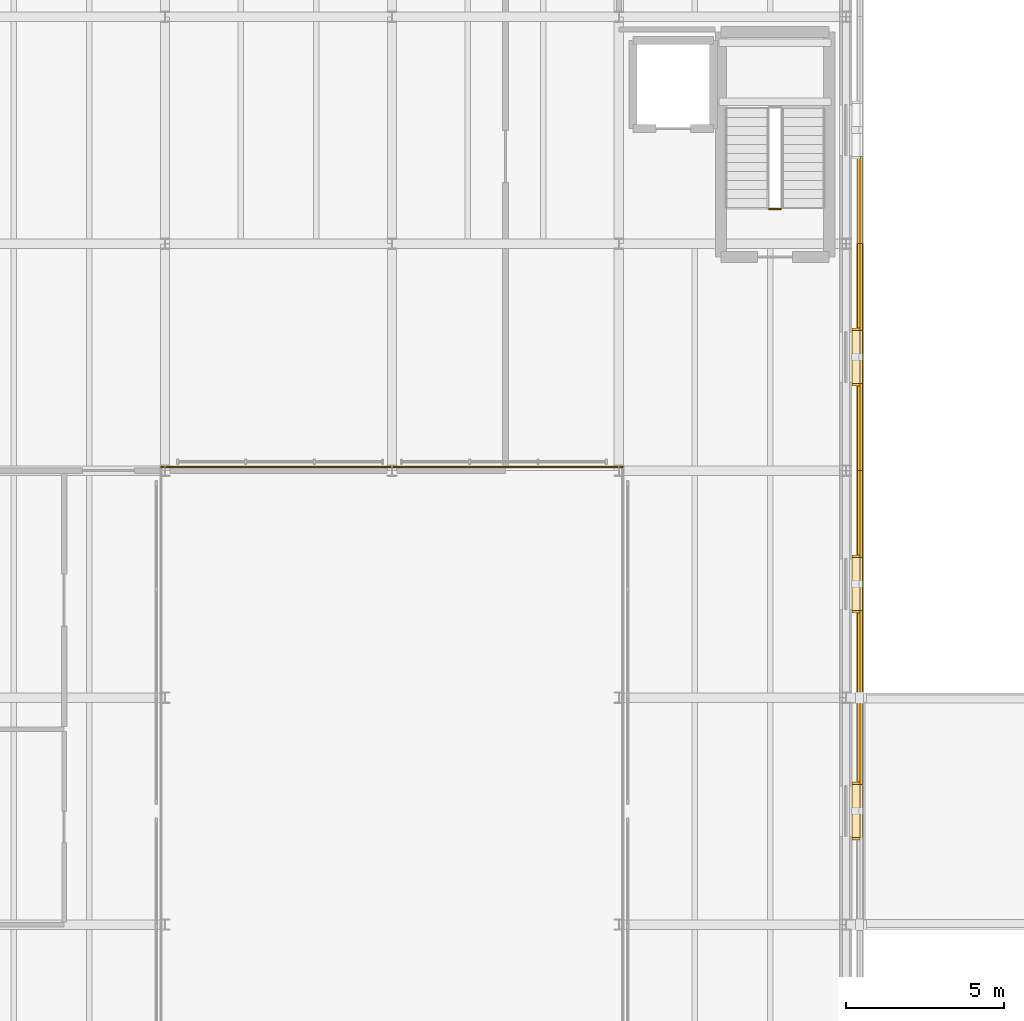
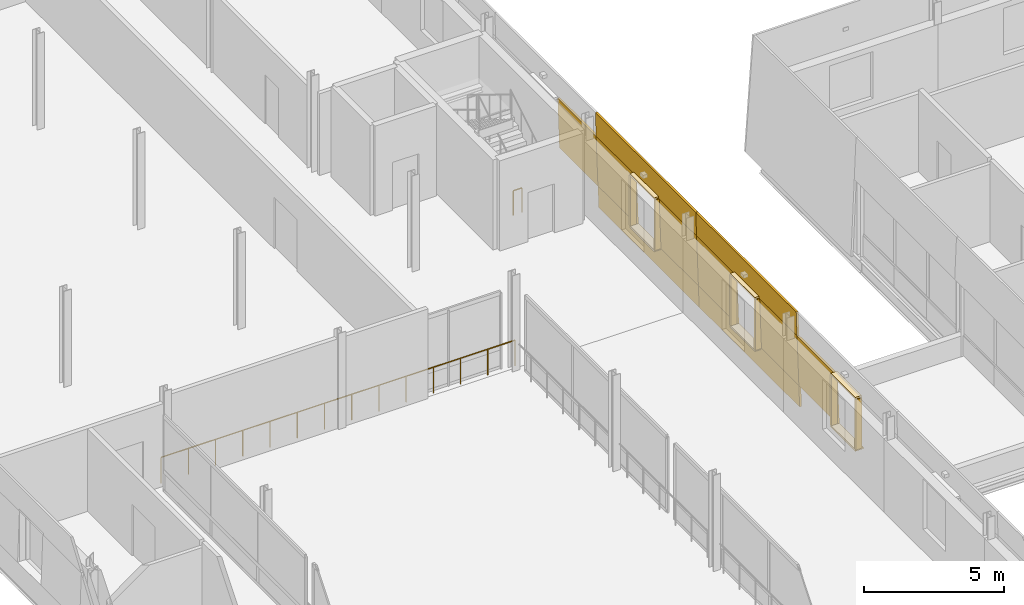
# One storey, part 82 of 91: 22 coverings, 2 railings.
"""IFC4 building model written with IfcOpenShell, lengths in metres."""

from ifc_helpers import new_model, si_unit, direction, frame, origin, origin_2d, place, context, subcontext, project, spatial, polyline, circle, outline, extrude, material, layer, layer_set, type_object, element, save


model = new_model("IFC4")

# Units and contexts
model_context = context("Model", 3, precision=1e-05, world=origin(), true_north=direction((0.0, 1.0)))
body_context = subcontext(model_context, "Body", "Model", "MODEL_VIEW")
ifc_project = project(units=[si_unit("LENGTHUNIT", "METRE"), si_unit("AREAUNIT", "SQUARE_METRE"), si_unit("VOLUMEUNIT", "CUBIC_METRE"), si_unit("PLANEANGLEUNIT", "RADIAN"), si_unit("MASSUNIT", "GRAM", prefix="KILO")], contexts=[model_context])

# Site, building, storey
site_placement = place(None, origin())
site = spatial("IfcSite", under=ifc_project, at=site_placement, CompositionType="ELEMENT")
building_placement = place(site_placement, origin())
building = spatial("IfcBuilding", under=site, at=building_placement, Name="Narikvali Park Central Library", CompositionType="ELEMENT")
storey_placement = place(building_placement, frame((0.0, 0.0, 14.39990234375)))
storey = spatial("IfcBuildingStorey", under=building, at=storey_placement, Name="L03", CompositionType="ELEMENT", Elevation=14.39990234375)

# Railing
ifc_material_1 = material(Name="Laminated Tempered Glass and Stainless Steel", Category="steel")
ifc_layer_1 = layer(ifc_material_1, 0.06005859375, Name="Laminated Tempered Glass and Stainless Steel")
ifc_layer_set_1 = layer_set([ifc_layer_1], Name="Laminated Tempered Glass and Stainless Steel")
railing_type_1 = type_object("IfcRailingType", Name="Atrium Void Tempered Glass Guardrail 1150", PredefinedType="GUARDRAIL", material=ifc_layer_set_1)
railing_1_placement = place(storey_placement, frame((50.52001953125, 86.52001953125, 0.0)))
element("IfcRailing", 1, at=railing_1_placement, inside=storey, type_object=railing_type_1, Name="V4 L03 Void Edge Guardrail N", PredefinedType="GUARDRAIL", context=body_context, shape_type="SweptSolid", body=[
    extrude(circle(Radius=0.02392578125, at=origin_2d()), frame((0.0, 0.0, 1.1259765625), z_axis=(-1.0, 0.0, 0.0), x_axis=(0.0, -1.0, 0.0)), (0.0, 0.0, 1.0), 14.64013671875),
    extrude(circle(Radius=0.02099609375, at=origin_2d()), origin(), (0.0, 0.0, 1.0), 1.101806640625),
    extrude(circle(Radius=0.02099609375, at=origin_2d()), frame((-1.126220703125, 0.0, 0.0)), (0.0, 0.0, 1.0), 1.101806640625),
    extrude(circle(Radius=0.02099609375, at=origin_2d()), frame((-2.25244140625, 0.0, 0.0)), (0.0, 0.0, 1.0), 1.101806640625),
    extrude(circle(Radius=0.02099609375, at=origin_2d()), frame((-3.37841796875, 0.0, 0.0)), (0.0, 0.0, 1.0), 1.101806640625),
    extrude(circle(Radius=0.02099609375, at=origin_2d()), frame((-4.504638671875, 0.0, 0.0)), (0.0, 0.0, 1.0), 1.101806640625),
    extrude(circle(Radius=0.02099609375, at=origin_2d()), frame((-5.630859375, 0.0, 0.0)), (0.0, 0.0, 1.0), 1.101806640625),
    extrude(circle(Radius=0.02099609375, at=origin_2d()), frame((-6.757080078125, 0.0, 0.0)), (0.0, 0.0, 1.0), 1.101806640625),
    extrude(circle(Radius=0.02099609375, at=origin_2d()), frame((-7.883056640625, 0.0, 0.0)), (0.0, 0.0, 1.0), 1.101806640625),
    extrude(circle(Radius=0.02099609375, at=origin_2d()), frame((-9.00927734375, 0.0, 0.0)), (0.0, 0.0, 1.0), 1.101806640625),
    extrude(circle(Radius=0.02099609375, at=origin_2d()), frame((-10.135498046875, 0.0, 0.0)), (0.0, 0.0, 1.0), 1.101806640625),
    extrude(circle(Radius=0.02099609375, at=origin_2d()), frame((-11.26171875, 0.0, 0.0)), (0.0, 0.0, 1.0), 1.101806640625),
    extrude(circle(Radius=0.02099609375, at=origin_2d()), frame((-12.3876953125, 0.0, 0.0)), (0.0, 0.0, 1.0), 1.101806640625),
    extrude(circle(Radius=0.02099609375, at=origin_2d()), frame((-13.513916015625, 0.0, 0.0)), (0.0, 0.0, 1.0), 1.101806640625),
    extrude(circle(Radius=0.02099609375, at=origin_2d()), frame((-14.64013671875, 0.0, 0.0)), (0.0, 0.0, 1.0), 1.101806640625),
])

# Coverings
ifc_material_2 = material(Name="White Honed Limestone Cladding", Category="masonry")
ifc_layer_2 = layer(ifc_material_2, 0.0849609375, Name="White Honed Limestone Cladding")
ifc_layer_set_2 = layer_set([ifc_layer_2], Name="White Honed Limestone Cladding")
covering_type_1 = type_object("IfcCoveringType", Name="Battered White Limestone Facade Cladding Panel", PredefinedType="CLADDING", material=ifc_layer_set_2)
covering_1_placement = place(storey_placement, frame((58.122802734375, 76.43994140625, 0.9501953125), z_axis=(0.999435139525, 0.0, 0.033606574995), x_axis=(0.0, 1.0, 0.0)))
element("IfcCovering", 2, at=covering_1_placement, inside=storey, type_object=covering_type_1, Name="V4 L03 E Battered Limestone Jamb Pier R B03", PredefinedType="CLADDING", context=body_context, shape_type="SweptSolid", body=[
    extrude(outline(polyline([(0.0, 0.0), (2.760009765625, 0.0), (2.760009765625, 2.201194539668489), (0.0, 2.201194539668489), (0.0, 0.0)])), origin(), (0.0, 0.0, -1.0), 0.0849609375),
])
covering_2_placement = place(storey_placement, frame((58.15478515625, 79.199951171875, 0.0), z_axis=(0.999434023877, 0.0, 0.033639737186), x_axis=(0.0, 1.0, 0.0)))
element("IfcCovering", 3, at=covering_2_placement, inside=storey, type_object=covering_type_1, Name="V4 L03 E Battered Limestone Spandrel B04", PredefinedType="CLADDING", context=body_context, shape_type="SweptSolid", body=[
    extrude(outline(polyline([(0.0, 0.0), (7.199951171875, 0.0), (7.199951171875, 0.9507334049069504), (0.0, 0.9507334049069504), (0.0, 0.0)])), origin(), (0.0, 0.0, -1.0), 0.0849609375),
])
covering_3_placement = place(storey_placement, frame((58.048828125, 79.199951171875, 3.150146484375), z_axis=(0.999432197748, 0.0, 0.033693947611), x_axis=(0.0, 1.0, 0.0)))
element("IfcCovering", 4, at=covering_3_placement, inside=storey, type_object=covering_type_1, Name="V4 L03 E Battered Limestone Lintel B04", PredefinedType="CLADDING", context=body_context, shape_type="SweptSolid", body=[
    extrude(outline(polyline([(0.0, 0.0), (7.199951171875, 0.0), (7.199951171875, 1.0506453869422776), (0.0, 1.0506453869422776), (0.0, 0.0)])), origin(), (0.0, 0.0, -1.0), 0.0849609375),
])
for number, where, z_axis, x_axis, name in (
    (5, (58.122802734375, 79.199951171875, 0.9501953125), (0.999435139525, 0.0, 0.033606574995), (0.0, 1.0, 0.0), "V4 L03 E Battered Limestone Jamb Pier L B04"),
    (6, (58.122802734375, 83.639892578125, 0.9501953125), (0.999435139525, 0.0, 0.033606574995), (0.0, 1.0, 0.0), "V4 L03 E Battered Limestone Jamb Pier R B04"),
):
    element("IfcCovering", number, at=place(storey_placement, frame(where, z_axis=z_axis, x_axis=x_axis)), inside=storey, type_object=covering_type_1, Name=name, PredefinedType="CLADDING", context=body_context, shape_type="SweptSolid", body=[
        extrude(outline(polyline([(0.0, 0.0), (2.760009765625, 0.0), (2.760009765625, 2.201194539668489), (0.0, 2.201194539668489), (0.0, 0.0)])), origin(), (0.0, 0.0, -1.0), 0.0849609375),
    ])
covering_4_placement = place(storey_placement, frame((58.15478515625, 86.39990234375, 0.0), z_axis=(0.999434023877, 0.0, 0.033639737186), x_axis=(0.0, 1.0, 0.0)))
element("IfcCovering", 7, at=covering_4_placement, inside=storey, type_object=covering_type_1, Name="V4 L03 E Battered Limestone Spandrel B05", PredefinedType="CLADDING", context=body_context, shape_type="SweptSolid", body=[
    extrude(outline(polyline([(0.0, 0.0), (7.2001953125, 0.0), (7.2001953125, 0.9507334049069504), (0.0, 0.9507334049069504), (0.0, 0.0)])), origin(), (0.0, 0.0, -1.0), 0.0849609375),
])
covering_5_placement = place(storey_placement, frame((58.048828125, 86.39990234375, 3.150146484375), z_axis=(0.999432197748, 0.0, 0.033693947611), x_axis=(0.0, 1.0, 0.0)))
element("IfcCovering", 8, at=covering_5_placement, inside=storey, type_object=covering_type_1, Name="V4 L03 E Battered Limestone Lintel B05", PredefinedType="CLADDING", context=body_context, shape_type="SweptSolid", body=[
    extrude(outline(polyline([(0.0, 0.0), (7.2001953125, 0.0), (7.2001953125, 1.0506453869422776), (0.0, 1.0506453869422776), (0.0, 0.0)])), origin(), (0.0, 0.0, -1.0), 0.0849609375),
])
for number, where, z_axis, x_axis, name in (
    (9, (58.122802734375, 86.39990234375, 0.9501953125), (0.999435139525, 0.0, 0.033606574995), (0.0, 1.0, 0.0), "V4 L03 E Battered Limestone Jamb Pier L B05"),
    (10, (58.122802734375, 90.840087890625, 0.9501953125), (0.999435139525, 0.0, 0.033606574995), (0.0, 1.0, 0.0), "V4 L03 E Battered Limestone Jamb Pier R B05"),
    (11, (58.122802734375, 93.60009765625, 0.9501953125), (0.999435139525, 0.0, 0.033606574995), (0.0, 1.0, 0.0), "V4 L03 E Battered Limestone Jamb Pier L B06"),
):
    element("IfcCovering", number, at=place(storey_placement, frame(where, z_axis=z_axis, x_axis=x_axis)), inside=storey, type_object=covering_type_1, Name=name, PredefinedType="CLADDING", context=body_context, shape_type="SweptSolid", body=[
        extrude(outline(polyline([(0.0, 0.0), (2.760009765625, 0.0), (2.760009765625, 2.201194539668489), (0.0, 2.201194539668489), (0.0, 0.0)])), origin(), (0.0, 0.0, -1.0), 0.0849609375),
    ])
ifc_layer_3 = layer(ifc_material_2, 0.080078125, Name="White Honed Limestone Cladding")
ifc_layer_set_3 = layer_set([ifc_layer_3], Name="White Honed Limestone Cladding")
covering_type_2 = type_object("IfcCoveringType", Name="Deep Carved White Limestone Window Reveal", PredefinedType="CLADDING", material=ifc_layer_set_3)
covering_6_placement = place(storey_placement, frame((0.0, 0.0, 3.150146484375)))
element("IfcCovering", 12, at=covering_6_placement, inside=storey, type_object=covering_type_2, Name="Deep Stone Reveal Head V4-RVL-L03-E-B03", PredefinedType="CLADDING", context=body_context, shape_type="SweptSolid", body=[
    extrude(outline(polyline([(57.784912109375, 74.719970703125), (57.784912109375, 76.47998046875), (58.048828125, 76.47998046875), (58.048828125, 74.719970703125), (57.784912109375, 74.719970703125)])), origin(), (0.0, 0.0, 1.0), 0.079833984375),
])
covering_7_placement = place(storey_placement, frame((0.0, 0.0, 0.8701171875)))
element("IfcCovering", 13, at=covering_7_placement, inside=storey, type_object=covering_type_2, Name="Deep Stone Reveal Sill V4-RVL-L03-E-B03", PredefinedType="CLADDING", context=body_context, shape_type="SweptSolid", body=[
    extrude(outline(polyline([(57.784912109375, 74.719970703125), (57.784912109375, 76.47998046875), (58.122802734375, 76.47998046875), (58.122802734375, 74.719970703125), (57.784912109375, 74.719970703125)])), origin(), (0.0, 0.0, 1.0), 0.080078125),
])
covering_8_placement = place(storey_placement, frame((0.0, 0.0, 0.9501953125)))
element("IfcCovering", 14, at=covering_8_placement, inside=storey, type_object=covering_type_2, Name="Deep Stone Reveal Jamb L V4-RVL-L03-E-B03", PredefinedType="CLADDING", context=body_context, shape_type="SweptSolid", body=[
    extrude(outline(polyline([(57.784912109375, 74.679931640625), (57.784912109375, 74.760009765625), (58.048828125, 74.760009765625), (58.048828125, 74.679931640625), (57.784912109375, 74.679931640625)])), origin(), (0.0, 0.0, 1.0), 2.199951171875),
])
covering_9_placement = place(storey_placement, frame((0.0, 0.0, 0.9501953125)))
element("IfcCovering", 15, at=covering_9_placement, inside=storey, type_object=covering_type_2, Name="Deep Stone Reveal Jamb R V4-RVL-L03-E-B03", PredefinedType="CLADDING", context=body_context, shape_type="SweptSolid", body=[
    extrude(outline(polyline([(57.784912109375, 76.43994140625), (57.784912109375, 76.52001953125), (58.048828125, 76.52001953125), (58.048828125, 76.43994140625), (57.784912109375, 76.43994140625)])), origin(), (0.0, 0.0, 1.0), 2.199951171875),
])
covering_10_placement = place(storey_placement, frame((0.0, 0.0, 3.150146484375)))
element("IfcCovering", 16, at=covering_10_placement, inside=storey, type_object=covering_type_2, Name="Deep Stone Reveal Head V4-RVL-L03-E-B04", PredefinedType="CLADDING", context=body_context, shape_type="SweptSolid", body=[
    extrude(outline(polyline([(57.784912109375, 81.919921875), (57.784912109375, 83.679931640625), (58.048828125, 83.679931640625), (58.048828125, 81.919921875), (57.784912109375, 81.919921875)])), origin(), (0.0, 0.0, 1.0), 0.079833984375),
])
covering_11_placement = place(storey_placement, frame((0.0, 0.0, 0.8701171875)))
element("IfcCovering", 17, at=covering_11_placement, inside=storey, type_object=covering_type_2, Name="Deep Stone Reveal Sill V4-RVL-L03-E-B04", PredefinedType="CLADDING", context=body_context, shape_type="SweptSolid", body=[
    extrude(outline(polyline([(57.784912109375, 81.919921875), (57.784912109375, 83.679931640625), (58.122802734375, 83.679931640625), (58.122802734375, 81.919921875), (57.784912109375, 81.919921875)])), origin(), (0.0, 0.0, 1.0), 0.080078125),
])
covering_12_placement = place(storey_placement, frame((0.0, 0.0, 0.9501953125)))
element("IfcCovering", 18, at=covering_12_placement, inside=storey, type_object=covering_type_2, Name="Deep Stone Reveal Jamb L V4-RVL-L03-E-B04", PredefinedType="CLADDING", context=body_context, shape_type="SweptSolid", body=[
    extrude(outline(polyline([(57.784912109375, 81.8798828125), (57.784912109375, 81.9599609375), (58.048828125, 81.9599609375), (58.048828125, 81.8798828125), (57.784912109375, 81.8798828125)])), origin(), (0.0, 0.0, 1.0), 2.199951171875),
])
covering_13_placement = place(storey_placement, frame((0.0, 0.0, 0.9501953125)))
element("IfcCovering", 19, at=covering_13_placement, inside=storey, type_object=covering_type_2, Name="Deep Stone Reveal Jamb R V4-RVL-L03-E-B04", PredefinedType="CLADDING", context=body_context, shape_type="SweptSolid", body=[
    extrude(outline(polyline([(57.784912109375, 83.639892578125), (57.784912109375, 83.719970703125), (58.048828125, 83.719970703125), (58.048828125, 83.639892578125), (57.784912109375, 83.639892578125)])), origin(), (0.0, 0.0, 1.0), 2.199951171875),
])
covering_14_placement = place(storey_placement, frame((0.0, 0.0, 3.150146484375)))
element("IfcCovering", 20, at=covering_14_placement, inside=storey, type_object=covering_type_2, Name="Deep Stone Reveal Head V4-RVL-L03-E-B05", PredefinedType="CLADDING", context=body_context, shape_type="SweptSolid", body=[
    extrude(outline(polyline([(57.784912109375, 89.1201171875), (57.784912109375, 90.8798828125), (58.048828125, 90.8798828125), (58.048828125, 89.1201171875), (57.784912109375, 89.1201171875)])), origin(), (0.0, 0.0, 1.0), 0.079833984375),
])
covering_15_placement = place(storey_placement, frame((0.0, 0.0, 0.8701171875)))
element("IfcCovering", 21, at=covering_15_placement, inside=storey, type_object=covering_type_2, Name="Deep Stone Reveal Sill V4-RVL-L03-E-B05", PredefinedType="CLADDING", context=body_context, shape_type="SweptSolid", body=[
    extrude(outline(polyline([(57.784912109375, 89.1201171875), (57.784912109375, 90.8798828125), (58.122802734375, 90.8798828125), (58.122802734375, 89.1201171875), (57.784912109375, 89.1201171875)])), origin(), (0.0, 0.0, 1.0), 0.080078125),
])
covering_16_placement = place(storey_placement, frame((0.0, 0.0, 0.9501953125)))
element("IfcCovering", 22, at=covering_16_placement, inside=storey, type_object=covering_type_2, Name="Deep Stone Reveal Jamb L V4-RVL-L03-E-B05", PredefinedType="CLADDING", context=body_context, shape_type="SweptSolid", body=[
    extrude(outline(polyline([(57.784912109375, 89.080078125), (57.784912109375, 89.159912109375), (58.048828125, 89.159912109375), (58.048828125, 89.080078125), (57.784912109375, 89.080078125)])), origin(), (0.0, 0.0, 1.0), 2.199951171875),
])
covering_17_placement = place(storey_placement, frame((0.0, 0.0, 0.9501953125)))
element("IfcCovering", 23, at=covering_17_placement, inside=storey, type_object=covering_type_2, Name="Deep Stone Reveal Jamb R V4-RVL-L03-E-B05", PredefinedType="CLADDING", context=body_context, shape_type="SweptSolid", body=[
    extrude(outline(polyline([(57.784912109375, 90.840087890625), (57.784912109375, 90.919921875), (58.048828125, 90.919921875), (58.048828125, 90.840087890625), (57.784912109375, 90.840087890625)])), origin(), (0.0, 0.0, 1.0), 2.199951171875),
])

# Railing
ifc_material_3 = material(Name="Powder-Coated Steel S275", Category="steel")
ifc_layer_4 = layer(ifc_material_3, 0.050048828125, Name="Powder-Coated Steel S275")
ifc_layer_set_4 = layer_set([ifc_layer_4], Name="Powder-Coated Steel S275")
railing_type_2 = type_object("IfcRailingType", Name="Stair Well Steel Guardrail 1100", PredefinedType="GUARDRAIL", material=ifc_layer_set_4)
railing_2_placement = place(storey_placement, frame((55.530029296875, 94.699951171875, 0.0)))
element("IfcRailing", 24, at=railing_2_placement, inside=storey, type_object=railing_type_2, Name="L03 ST-08 stair guard 4", PredefinedType="GUARDRAIL", context=body_context, shape_type="SweptSolid", body=[
    extrude(circle(Radius=0.02392578125, at=origin_2d()), frame((0.0, 0.0, 1.076171875), z_axis=(-1.0, 0.0, 0.0), x_axis=(0.0, -1.0, 0.0)), (0.0, 0.0, 1.0), 0.360107421875),
    extrude(circle(Radius=0.02099609375, at=origin_2d()), origin(), (0.0, 0.0, 1.0), 1.052001953125),
    extrude(circle(Radius=0.02099609375, at=origin_2d()), frame((-0.360107421875, 0.0, 0.0)), (0.0, 0.0, 1.0), 1.052001953125),
])

save(model, "model.ifc")
